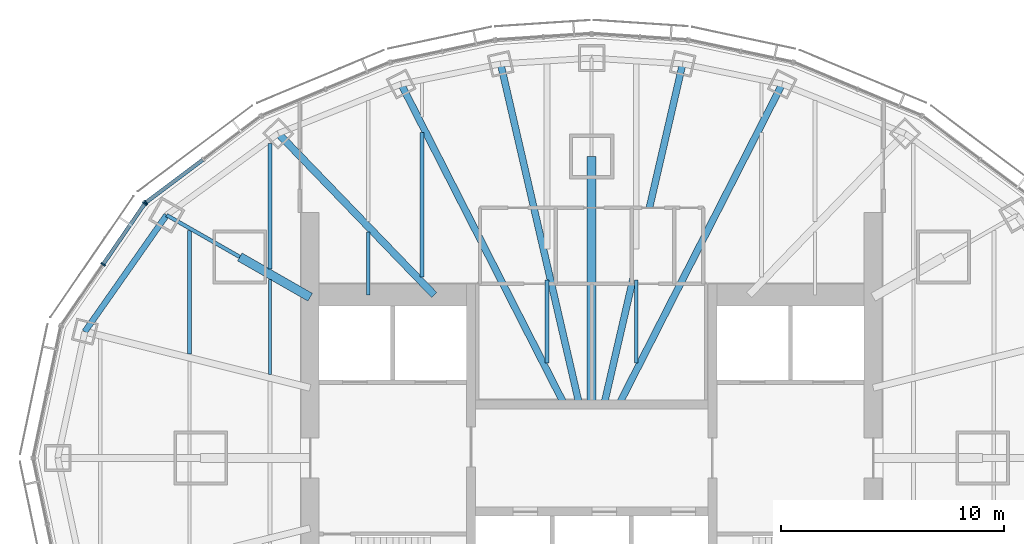
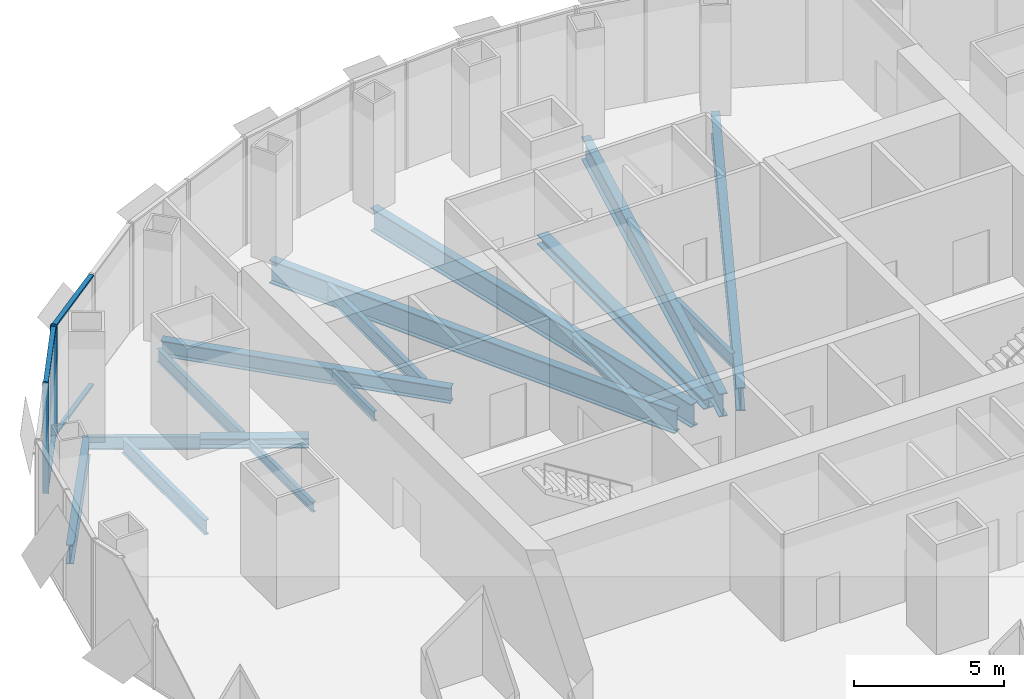
# One storey, part 4 of 15: 16 beams, 7 members, 2 elements without a shape of their own.
"""IFC4 building model written with IfcOpenShell, lengths in metres."""

from ifc_helpers import new_model, si_unit, direction, frame, origin, origin_2d, place, context, subcontext, project, spatial, rectangle, i_section, extrude, material, material_profile, profile_set, type_object, element, aggregate, save


model = new_model("IFC4")

# Units and contexts
model_context = context("Model", 3, precision=1e-05, world=origin(), true_north=direction((0.0, 1.0)))
body_context = subcontext(model_context, "Body", "Model", "MODEL_VIEW")
ifc_project = project(units=[si_unit("LENGTHUNIT", "METRE"), si_unit("AREAUNIT", "SQUARE_METRE"), si_unit("VOLUMEUNIT", "CUBIC_METRE"), si_unit("PLANEANGLEUNIT", "RADIAN"), si_unit("MASSUNIT", "GRAM", prefix="KILO")], contexts=[model_context])

# Site, building, storey
site_placement = place(None, origin())
site = spatial("IfcSite", under=ifc_project, at=site_placement, CompositionType="ELEMENT")
building_placement = place(site_placement, origin())
building = spatial("IfcBuilding", under=site, at=building_placement, Name="Lantaw Convention Tower", CompositionType="ELEMENT")
storey_placement = place(building_placement, frame((0.0, 0.0, 274.89990234375)))
storey = spatial("IfcBuildingStorey", under=building, at=storey_placement, Name="L64", CompositionType="ELEMENT", Elevation=274.89990234375)

# Beams
ifc_material_1 = material(Name="Steel ASTM A992", Category="steel")
ifc_material_profile_1 = material_profile(ifc_material_1, i_section(OverallWidth=0.2666015625, OverallDepth=0.76953125, WebThickness=0.015625, FlangeThickness=0.025390625, FilletRadius=0.0126953125, at=origin_2d()), Name="W30X132")
ifc_profile_set_1 = profile_set([ifc_material_profile_1], Name="Steel ASTM A992")
beam_type_1 = type_object("IfcBeamType", Name="Beam E W30X132", PredefinedType="SPANDREL", material=ifc_profile_set_1)
beam_1_placement = place(storey_placement, frame((-19.02685546875, 10.87255859375, -0.53466796875), z_axis=(-0.574400527612, -0.81857439117, 0.0), x_axis=(0.81857439117, -0.574400527612, 0.0)))
element("IfcBeam", 1, at=beam_1_placement, inside=storey, type_object=beam_type_1, Name="Edge beam 11", PredefinedType="SPANDREL", context=body_context, shape_type="SweptSolid", body=[
    extrude(i_section(OverallWidth=0.2666015625, OverallDepth=0.76953125, WebThickness=0.015625, FlangeThickness=0.025390625, FilletRadius=0.0126953125, at=origin_2d()), origin(), (0.0, 0.0, 1.0), 6.3720703125),
])
ifc_material_profile_2 = material_profile(ifc_material_1, i_section(OverallWidth=0.1650390625, OverallDepth=0.52587890625, WebThickness=0.0087890625, FlangeThickness=0.011474609375, FilletRadius=0.0126953125, at=origin_2d()), Name="W21X44")
ifc_profile_set_2 = profile_set([ifc_material_profile_2], Name="Steel ASTM A992")
beam_type_2 = type_object("IfcBeamType", Name="Beam G W21X44", PredefinedType="BEAM", material=ifc_profile_set_2)
beam_2_placement = place(storey_placement, frame((-15.75, 9.0, -0.412841796875), z_axis=(-0.868235180478, 0.496152870978, 0.0), x_axis=(-0.496152870978, -0.868235180478, 0.0)))
element("IfcBeam", 2, at=beam_2_placement, inside=storey, type_object=beam_type_2, Name="Floor girder on ray 11", PredefinedType="BEAM", context=body_context, shape_type="SweptSolid", body=[
    extrude(i_section(OverallWidth=0.1650390625, OverallDepth=0.52587890625, WebThickness=0.0087890625, FlangeThickness=0.011474609375, FilletRadius=0.0126953125, at=origin_2d()), origin(), (0.0, 0.0, 1.0), 3.774169921875),
])
ifc_material_profile_3 = material_profile(ifc_material_1, i_section(OverallWidth=0.32763671875, OverallDepth=0.62744140625, WebThickness=0.0166015625, FlangeThickness=0.027587890625, FilletRadius=0.0126953125, at=origin_2d()), Name="W24X146")
ifc_profile_set_3 = profile_set([ifc_material_profile_3], Name="Steel ASTM A992")
beam_type_3 = type_object("IfcBeamType", Name="Beam G W24X146", PredefinedType="BEAM", material=ifc_profile_set_3)
beam_3_placement = place(storey_placement, frame((-7.049560546875, 7.300048828125, -0.463623046875), z_axis=(-0.694652631285, 0.71934534255, 0.0), x_axis=(-0.71934534255, -0.694652631285, 0.0)))
element("IfcBeam", 3, at=beam_3_placement, inside=storey, type_object=beam_type_3, Name="Floor girder on ray 10", PredefinedType="BEAM", context=body_context, shape_type="SweptSolid", body=[
    extrude(i_section(OverallWidth=0.32763671875, OverallDepth=0.62744140625, WebThickness=0.0166015625, FlangeThickness=0.027587890625, FilletRadius=0.0126953125, at=origin_2d()), origin(), (0.0, 0.0, 1.0), 10.04541015625),
])
ifc_material_profile_4 = material_profile(ifc_material_1, i_section(OverallWidth=0.307373046875, OverallDepth=0.9423828125, WebThickness=0.022216796875, FlangeThickness=0.039794921875, FilletRadius=0.0126953125, at=origin_2d()), Name="W36X232")
ifc_profile_set_4 = profile_set([ifc_material_profile_4], Name="Steel ASTM A992")
beam_type_4 = type_object("IfcBeamType", Name="Beam G W36X232", PredefinedType="BEAM", material=ifc_profile_set_4)
beam_4_placement = place(storey_placement, frame((1.222900390625, 2.39990234375, -0.62109375), z_axis=(0.453985554173, 0.891009044063, 0.0), x_axis=(-0.891009044063, 0.453985554173, 0.0)))
element("IfcBeam", 4, at=beam_4_placement, inside=storey, type_object=beam_type_4, Name="Floor girder on ray 5", PredefinedType="BEAM", context=body_context, shape_type="SweptSolid", body=[
    extrude(i_section(OverallWidth=0.307373046875, OverallDepth=0.9423828125, WebThickness=0.022216796875, FlangeThickness=0.039794921875, FilletRadius=0.0126953125, at=origin_2d()), origin(), (0.0, 0.0, 1.0), 16.091796875),
])
for number, where, z_axis, x_axis, name in (
    (5, (0.55419921875, 2.39990234375, -0.62109375), (0.22493929298, 0.974372780035, 0.0), (-0.974372780035, 0.22493929298, 0.0), "Floor girder on ray 6"),
    (6, (-0.55419921875, 2.39990234375, -0.62109375), (-0.22493929298, 0.974372780035, 0.0), (-0.974372780035, -0.22493929298, 0.0), "Floor girder on ray 8"),
):
    element("IfcBeam", number, at=place(storey_placement, frame(where, z_axis=z_axis, x_axis=x_axis)), inside=storey, type_object=beam_type_4, Name=name, PredefinedType="BEAM", context=body_context, shape_type="SweptSolid", body=[
        extrude(i_section(OverallWidth=0.307373046875, OverallDepth=0.9423828125, WebThickness=0.022216796875, FlangeThickness=0.039794921875, FilletRadius=0.0126953125, at=origin_2d()), origin(), (0.0, 0.0, 1.0), 15.643310546875),
    ])
beam_5_placement = place(storey_placement, frame((-1.222900390625, 2.39990234375, -0.62109375), z_axis=(-0.453985554173, 0.891009044063, 0.0), x_axis=(-0.891009044063, -0.453985554173, 0.0)))
element("IfcBeam", 7, at=beam_5_placement, inside=storey, type_object=beam_type_4, Name="Floor girder on ray 9", PredefinedType="BEAM", context=body_context, shape_type="SweptSolid", body=[
    extrude(i_section(OverallWidth=0.307373046875, OverallDepth=0.9423828125, WebThickness=0.022216796875, FlangeThickness=0.039794921875, FilletRadius=0.0126953125, at=origin_2d()), origin(), (0.0, 0.0, 1.0), 16.091796875),
])
ifc_material_profile_5 = material_profile(ifc_material_1, i_section(OverallWidth=0.40380859375, OverallDepth=0.406494140625, WebThickness=0.027099609375, FlangeThickness=0.043701171875, FilletRadius=0.01513671875, at=origin_2d()), Name="W14X233")
ifc_profile_set_5 = profile_set([ifc_material_profile_5], Name="Steel ASTM A992")
beam_type_5 = type_object("IfcBeamType", Name="Beam GM W14X233", PredefinedType="BEAM", material=ifc_profile_set_5)
beam_6_placement = place(storey_placement, frame((0.0, 2.39990234375, -0.35302734375), z_axis=(0.0, 1.0, 0.0), x_axis=(-1.0, 0.0, 0.0)))
element("IfcBeam", 8, at=beam_6_placement, inside=storey, type_object=beam_type_5, Name="Core link beam on ray 7", PredefinedType="BEAM", context=body_context, shape_type="SweptSolid", body=[
    extrude(i_section(OverallWidth=0.40380859375, OverallDepth=0.406494140625, WebThickness=0.027099609375, FlangeThickness=0.043701171875, FilletRadius=0.01513671875, at=origin_2d()), origin(), (0.0, 0.0, 1.0), 11.10009765625),
])
beam_7_placement = place(storey_placement, frame((-12.60009765625, 7.199951171875, -0.35302734375), z_axis=(-0.868230718294, 0.496160679428, 0.0), x_axis=(-0.496160679428, -0.868230718294, 0.0)))
element("IfcBeam", 9, at=beam_7_placement, inside=storey, type_object=beam_type_5, Name="Core link beam on ray 11", PredefinedType="BEAM", context=body_context, shape_type="SweptSolid", body=[
    extrude(i_section(OverallWidth=0.40380859375, OverallDepth=0.406494140625, WebThickness=0.027099609375, FlangeThickness=0.043701171875, FilletRadius=0.01513671875, at=origin_2d()), origin(), (0.0, 0.0, 1.0), 3.6279296875),
])
ifc_material_profile_6 = material_profile(ifc_material_1, i_section(OverallWidth=0.140380859375, OverallDepth=0.40380859375, WebThickness=0.007080078125, FlangeThickness=0.01123046875, FilletRadius=0.01025390625, at=origin_2d()), Name="W16X31")
ifc_profile_set_6 = profile_set([ifc_material_profile_6], Name="Steel ASTM A992")
beam_type_6 = type_object("IfcBeamType", Name="Beam J W16X31", PredefinedType="JOIST", material=ifc_profile_set_6)
beam_8_placement = place(storey_placement, frame((-14.39990234375, 3.748779296875, -0.351806640625), z_axis=(0.0, 1.0, 0.0), x_axis=(-1.0, 0.0, 0.0)))
element("IfcBeam", 10, at=beam_8_placement, inside=storey, type_object=beam_type_6, Name="Floor joist", PredefinedType="JOIST", context=body_context, shape_type="SweptSolid", body=[
    extrude(i_section(OverallWidth=0.140380859375, OverallDepth=0.40380859375, WebThickness=0.007080078125, FlangeThickness=0.01123046875, FilletRadius=0.01025390625, at=origin_2d()), origin(), (0.0, 0.0, 1.0), 4.247314453125),
])
beam_9_placement = place(storey_placement, frame((-10.0, 7.300048828125, -0.351806640625), z_axis=(0.0, 1.0, 0.0), x_axis=(-1.0, 0.0, 0.0)))
element("IfcBeam", 11, at=beam_9_placement, inside=storey, type_object=beam_type_6, Name="Floor joist", PredefinedType="JOIST", context=body_context, shape_type="SweptSolid", body=[
    extrude(i_section(OverallWidth=0.140380859375, OverallDepth=0.40380859375, WebThickness=0.007080078125, FlangeThickness=0.01123046875, FilletRadius=0.01025390625, at=origin_2d()), origin(), (0.0, 0.0, 1.0), 2.8193359375),
])
ifc_material_profile_7 = material_profile(ifc_material_1, i_section(OverallWidth=0.1650390625, OverallDepth=0.52587890625, WebThickness=0.0087890625, FlangeThickness=0.011474609375, FilletRadius=0.0126953125, at=origin_2d()), Name="W21X44")
ifc_profile_set_7 = profile_set([ifc_material_profile_7], Name="Steel ASTM A992")
beam_type_7 = type_object("IfcBeamType", Name="Beam J W21X44", PredefinedType="JOIST", material=ifc_profile_set_7)
beam_10_placement = place(storey_placement, frame((-14.39990234375, 8.461181640625, -0.412841796875), z_axis=(0.0, 1.0, 0.0), x_axis=(-1.0, 0.0, 0.0)))
element("IfcBeam", 12, at=beam_10_placement, inside=storey, type_object=beam_type_7, Name="Floor joist", PredefinedType="JOIST", context=body_context, shape_type="SweptSolid", body=[
    extrude(i_section(OverallWidth=0.1650390625, OverallDepth=0.52587890625, WebThickness=0.0087890625, FlangeThickness=0.011474609375, FilletRadius=0.0126953125, at=origin_2d()), origin(), (0.0, 0.0, 1.0), 5.627685546875),
])
for number, where, z_axis, x_axis, name in (
    (13, (-2.0, 4.263671875, -0.412841796875), (0.0, 1.0, 0.0), (-1.0, 0.0, 0.0), "Floor joist"),
    (14, (2.0, 4.263671875, -0.412841796875), (0.0, 1.0, 0.0), (-1.0, 0.0, 0.0), "Floor joist"),
):
    element("IfcBeam", number, at=place(storey_placement, frame(where, z_axis=z_axis, x_axis=x_axis)), inside=storey, type_object=beam_type_7, Name=name, PredefinedType="JOIST", context=body_context, shape_type="SweptSolid", body=[
        extrude(i_section(OverallWidth=0.1650390625, OverallDepth=0.52587890625, WebThickness=0.0087890625, FlangeThickness=0.011474609375, FilletRadius=0.0126953125, at=origin_2d()), origin(), (0.0, 0.0, 1.0), 3.716064453125),
    ])
ifc_material_profile_8 = material_profile(ifc_material_1, i_section(OverallWidth=0.177978515625, OverallDepth=0.599365234375, WebThickness=0.010009765625, FlangeThickness=0.012939453125, FilletRadius=0.012939453125, at=origin_2d()), Name="W24X55")
ifc_profile_set_8 = profile_set([ifc_material_profile_8], Name="Steel ASTM A992")
beam_type_8 = type_object("IfcBeamType", Name="Beam J W24X55", PredefinedType="JOIST", material=ifc_profile_set_8)
beam_11_placement = place(storey_placement, frame((-18.0, 4.646240234375, -0.44970703125), z_axis=(0.0, 1.0, 0.0), x_axis=(-1.0, 0.0, 0.0)))
element("IfcBeam", 15, at=beam_11_placement, inside=storey, type_object=beam_type_8, Name="Floor joist", PredefinedType="JOIST", context=body_context, shape_type="SweptSolid", body=[
    extrude(i_section(OverallWidth=0.177978515625, OverallDepth=0.599365234375, WebThickness=0.010009765625, FlangeThickness=0.012939453125, FilletRadius=0.012939453125, at=origin_2d()), origin(), (0.0, 0.0, 1.0), 5.54443359375),
])
beam_12_placement = place(storey_placement, frame((-7.60009765625, 8.10595703125, -0.44970703125), z_axis=(0.0, 1.0, 0.0), x_axis=(-1.0, 0.0, 0.0)))
element("IfcBeam", 16, at=beam_12_placement, inside=storey, type_object=beam_type_8, Name="Floor joist", PredefinedType="JOIST", context=body_context, shape_type="SweptSolid", body=[
    extrude(i_section(OverallWidth=0.177978515625, OverallDepth=0.599365234375, WebThickness=0.010009765625, FlangeThickness=0.012939453125, FilletRadius=0.012939453125, at=origin_2d()), origin(), (0.0, 0.0, 1.0), 6.471435546875),
])

# Curtain wall, member
ifc_material_2 = material(Name="Aluminium framed curtain wall", Category="aluminium")
curtain_wall_type = type_object("IfcCurtainWallType", Name="Executive floors curtain wall, pale aluminium", PredefinedType="USERDEFINED", material=ifc_material_2)
curtain_wall_1_placement = place(storey_placement, origin())
curtain_wall_1 = element("IfcCurtainWall", 17, at=curtain_wall_1_placement, inside=storey, type_object=curtain_wall_type, Name="Executive floors curtain wall, pale aluminium L64", ObjectType="UNITISED CURTAIN WALL", PredefinedType="USERDEFINED")
ifc_material_3 = material(Name="Aluminium 6063-T6", Category="aluminium")
ifc_material_profile_9 = material_profile(ifc_material_3, rectangle(XDim=0.219970703125, YDim=0.070068359375, at=origin_2d()), Name="CW-T mullion 70x220")
ifc_profile_set_9 = profile_set([ifc_material_profile_9], Name="Aluminium 6063-T6")
member_type_1 = type_object("IfcMemberType", Name="CW-T mullion 70x220", PredefinedType="MULLION", material=ifc_profile_set_9)
member_1_placement = place(storey_placement, frame((-19.953857421875, 11.439208984375, -0.14990234375), z_axis=(0.0, 0.0, 1.0), x_axis=(0.600642756762, -0.799517528732, 0.0)))
member_1 = element("IfcMember", 18, at=member_1_placement, type_object=member_type_1, Name="CW-T mullion 3", PredefinedType="MULLION", context=body_context, shape_type="SweptSolid", body=[
    extrude(rectangle(XDim=0.219970703125, YDim=0.070068359375, at=origin_2d()), origin(), (0.0, 0.0, 1.0), 4.5),
])

# Curtain wall, members
curtain_wall_2_placement = place(storey_placement, origin())
curtain_wall_2 = element("IfcCurtainWall", 19, at=curtain_wall_2_placement, inside=storey, type_object=curtain_wall_type, Name="Executive floors curtain wall, pale aluminium L64", ObjectType="UNITISED CURTAIN WALL", PredefinedType="USERDEFINED")
member_2_placement = place(storey_placement, frame((-20.001708984375, 11.389404296875, -0.14990234375), z_axis=(0.0, 0.0, 1.0), x_axis=(0.824449977189, -0.565934832921, 0.0)))
member_2 = element("IfcMember", 20, at=member_2_placement, type_object=member_type_1, Name="CW-T mullion 1", PredefinedType="MULLION", context=body_context, shape_type="SweptSolid", body=[
    extrude(rectangle(XDim=0.219970703125, YDim=0.070068359375, at=origin_2d()), origin(), (0.0, 0.0, 1.0), 4.5),
])
member_3_placement = place(storey_placement, frame((-21.8681640625, 8.67041015625, -0.14990234375), z_axis=(0.0, 0.0, 1.0), x_axis=(0.824449977189, -0.565934832921, 0.0)))
member_3 = element("IfcMember", 21, at=member_3_placement, type_object=member_type_1, Name="CW-T mullion 2", PredefinedType="MULLION", context=body_context, shape_type="SweptSolid", body=[
    extrude(rectangle(XDim=0.219970703125, YDim=0.070068359375, at=origin_2d()), origin(), (0.0, 0.0, 1.0), 4.5),
])

# Member
ifc_material_profile_10 = material_profile(ifc_material_3, rectangle(XDim=0.169921875, YDim=0.070068359375, at=origin_2d()), Name="CW-T transom 70x170")
ifc_profile_set_10 = profile_set([ifc_material_profile_10], Name="Aluminium 6063-T6")
member_type_2 = type_object("IfcMemberType", Name="CW-T transom 70x170", PredefinedType="USERDEFINED", material=ifc_profile_set_10)
member_4_placement = place(storey_placement, frame((-17.414794921875, 13.346923828125, -0.114990234375), z_axis=(-0.799496049611, -0.600671346626, 0.0), x_axis=(0.600671346626, -0.799496049611, 0.0)))
member_4 = element("IfcMember", 22, at=member_4_placement, type_object=member_type_2, Name="CW-T transom 2.1", ObjectType="TRANSOM", PredefinedType="USERDEFINED", context=body_context, shape_type="SweptSolid", body=[
    extrude(rectangle(XDim=0.169921875, YDim=0.070068359375, at=origin_2d()), origin(), (0.0, 0.0, 1.0), 3.14111328125),
])

member_5_placement = place(storey_placement, frame((-17.414794921875, 13.346923828125, 4.315185546875), z_axis=(-0.799496049611, -0.600671346626, 0.0), x_axis=(0.600671346626, -0.799496049611, 0.0)))
member_5 = element("IfcMember", 23, at=member_5_placement, type_object=member_type_2, Name="CW-T transom 2.2", ObjectType="TRANSOM", PredefinedType="USERDEFINED", context=body_context, shape_type="SweptSolid", body=[
    extrude(rectangle(XDim=0.169921875, YDim=0.070068359375, at=origin_2d()), origin(), (0.0, 0.0, 1.0), 3.14111328125),
])

aggregate(curtain_wall_1, [member_1, member_4, member_5])

member_6_placement = place(storey_placement, frame((-20.021484375, 11.360595703125, -0.114990234375), z_axis=(-0.56594129057, -0.824445544368, 0.0), x_axis=(0.824445544368, -0.56594129057, 0.0)))
member_6 = element("IfcMember", 24, at=member_6_placement, type_object=member_type_2, Name="CW-T transom 1.1", ObjectType="TRANSOM", PredefinedType="USERDEFINED", context=body_context, shape_type="SweptSolid", body=[
    extrude(rectangle(XDim=0.169921875, YDim=0.070068359375, at=origin_2d()), origin(), (0.0, 0.0, 1.0), 3.22802734375),
])

member_7_placement = place(storey_placement, frame((-20.021484375, 11.360595703125, 4.315185546875), z_axis=(-0.56594129057, -0.824445544368, 0.0), x_axis=(0.824445544368, -0.56594129057, 0.0)))
member_7 = element("IfcMember", 25, at=member_7_placement, type_object=member_type_2, Name="CW-T transom 1.2", ObjectType="TRANSOM", PredefinedType="USERDEFINED", context=body_context, shape_type="SweptSolid", body=[
    extrude(rectangle(XDim=0.169921875, YDim=0.070068359375, at=origin_2d()), origin(), (0.0, 0.0, 1.0), 3.22802734375),
])

aggregate(curtain_wall_2, [member_2, member_3, member_6, member_7])

save(model, "model.ifc")
